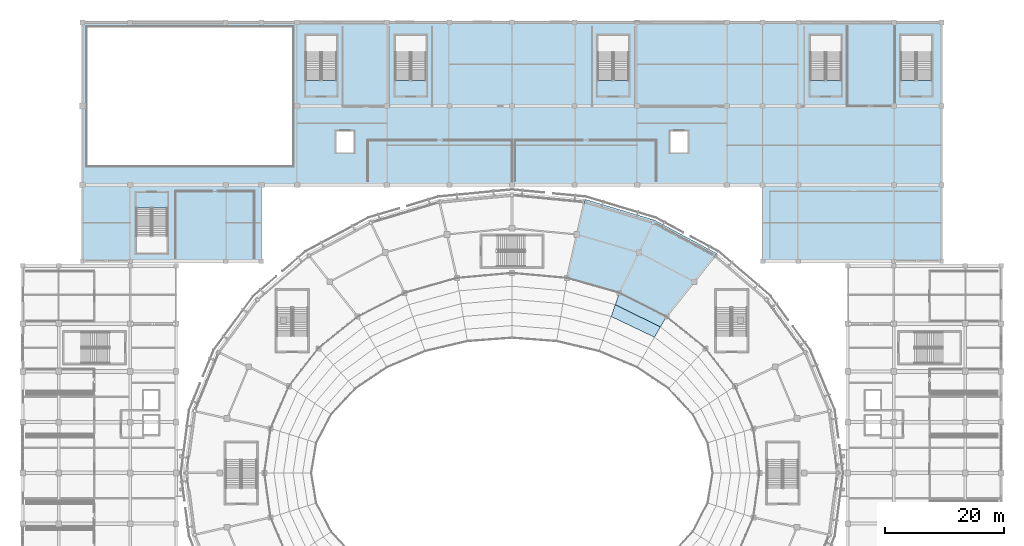
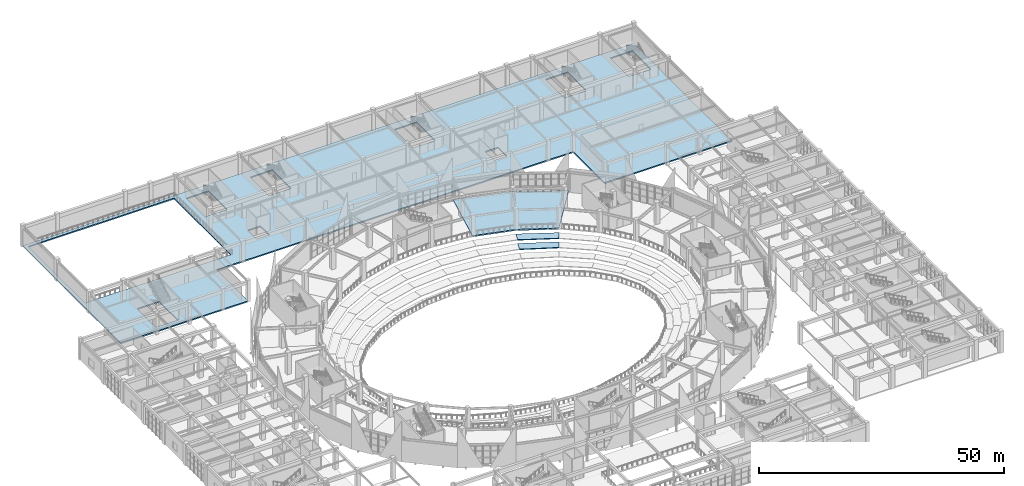
# One storey, part 66 of 120: 4 slabs.
"""IFC4 building model written with IfcOpenShell, lengths in metres."""

from ifc_helpers import new_model, si_unit, direction, frame, origin, place, context, subcontext, project, spatial, polyline, outline, extrude, material, layer, layer_set, type_object, element, save


model = new_model("IFC4")

# Units and contexts
model_context = context("Model", 3, precision=1e-05, world=origin(), true_north=direction((0.0, 1.0)))
body_context = subcontext(model_context, "Body", "Model", "MODEL_VIEW")
ifc_project = project(units=[si_unit("LENGTHUNIT", "METRE"), si_unit("AREAUNIT", "SQUARE_METRE"), si_unit("VOLUMEUNIT", "CUBIC_METRE"), si_unit("PLANEANGLEUNIT", "RADIAN"), si_unit("MASSUNIT", "GRAM", prefix="KILO")], contexts=[model_context])

# Site, building, storey
site_placement = place(None, origin())
site = spatial("IfcSite", under=ifc_project, at=site_placement, CompositionType="ELEMENT")
building_placement = place(site_placement, origin())
building = spatial("IfcBuilding", under=site, at=building_placement, Name="Cuetzalor Civic Arena", CompositionType="ELEMENT")
storey_placement = place(building_placement, frame((0.0, 0.0, 6.0)))
storey = spatial("IfcBuildingStorey", under=building, at=storey_placement, Name="L01", CompositionType="ELEMENT", Elevation=6.0)

# Slabs
ifc_material_1 = material(Name="Concrete C35/45", Category="concrete")
ifc_layer_1 = layer(ifc_material_1, 0.300048828125)
ifc_layer_set_1 = layer_set([ifc_layer_1], Name="Concrete C35/45")
slab_type_1 = type_object("IfcSlabType", Name="ConcourseFloorSlab_300", PredefinedType="FLOOR", material=ifc_layer_set_1)
slab_1_placement = place(storey_placement, frame((0.0, 0.0, -0.300048828125)))
element("IfcSlab", 1, at=slab_1_placement, inside=storey, type_object=slab_type_1, Name="Arena Concourse Sector Slab L01-03", PredefinedType="FLOOR", context=body_context, shape_type="SweptSolid", body=[
    extrude(outline(polyline([(25.874755859375, 26.19140625), (18.006103515625, 30.1826171875), (9.234619140625, 32.66015625), (12.249755859375, 45.870361328125), (23.88525390625, 42.390625), (34.322998046875, 36.78515625), (25.874755859375, 26.19140625)])), origin(), (0.0, 0.0, 1.0), 0.300048828125),
])
slab_2_placement = place(storey_placement, frame((0.0, 0.0, -0.300048828125)))
element("IfcSlab", 2, at=slab_2_placement, inside=storey, type_object=slab_type_1, Name="North Wing Floor Slab L01", PredefinedType="FLOOR", context=body_context, shape_type="SweptSolid", body=[
    extrude(outline(polyline([(-72.0, 75.5), (72.0, 75.5), (72.0, 35.5), (42.0, 35.5), (42.0, 48.300048828125), (-42.0, 48.300048828125), (-42.0, 35.5), (-72.0, 35.5), (-72.0, 75.5)]), holes=[polyline([(-36.800048828125, 51.5), (-36.800048828125, 74.699951171875), (-71.199951171875, 74.699951171875), (-71.199951171875, 51.5), (-36.800048828125, 51.5)]), polyline([(-63.0, 36.800048828125), (-57.800048828125, 36.800048828125), (-57.800048828125, 44.39990234375), (-63.0, 44.39990234375), (-63.0, 36.800048828125)]), polyline([(-34.60009765625, 73.39990234375), (-34.60009765625, 65.800048828125), (-29.39990234375, 65.800048828125), (-29.39990234375, 73.39990234375), (-34.60009765625, 73.39990234375)]), polyline([(-14.39990234375, 73.39990234375), (-19.60009765625, 73.39990234375), (-19.60009765625, 65.800048828125), (-14.39990234375, 65.800048828125), (-14.39990234375, 73.39990234375)]), polyline([(19.60009765625, 65.800048828125), (19.60009765625, 73.39990234375), (14.39990234375, 73.39990234375), (14.39990234375, 65.800048828125), (19.60009765625, 65.800048828125)]), polyline([(50.0, 65.800048828125), (55.199951171875, 65.800048828125), (55.199951171875, 73.39990234375), (50.0, 73.39990234375), (50.0, 65.800048828125)]), polyline([(65.199951171875, 73.39990234375), (65.199951171875, 65.800048828125), (70.39990234375, 65.800048828125), (70.39990234375, 73.39990234375), (65.199951171875, 73.39990234375)]), polyline([(-26.5, 57.300048828125), (-29.5, 57.300048828125), (-29.5, 53.699951171875), (-26.5, 53.699951171875), (-26.5, 57.300048828125)]), polyline([(29.5, 53.699951171875), (29.5, 57.300048828125), (26.5, 57.300048828125), (26.5, 53.699951171875), (29.5, 53.699951171875)])]), origin(), (0.0, 0.0, 1.0), 0.300048828125),
])
ifc_material_2 = material(Name="Precast concrete C45/55", Category="concrete")
ifc_layer_2 = layer(ifc_material_2, 0.179931640625)
ifc_layer_set_2 = layer_set([ifc_layer_2], Name="Precast concrete C45/55")
slab_type_2 = type_object("IfcSlabType", Name="LowerBowlSeatingTier_180", PredefinedType="USERDEFINED", material=ifc_layer_set_2)
slab_3_placement = place(storey_placement, frame((0.0, 0.0, -2.219970703125)))
element("IfcSlab", 3, at=slab_3_placement, inside=storey, type_object=slab_type_2, Name="Stand Lower Tier Bay 05 Row 4", ObjectType="SEATING TIER", PredefinedType="USERDEFINED", context=body_context, shape_type="SweptSolid", body=[
    extrude(outline(polyline([(23.879638671875, 22.751220703125), (16.61767578125, 26.21826171875), (17.31201171875, 28.2001953125), (24.877197265625, 24.47119140625), (23.879638671875, 22.751220703125)])), origin(), (0.0, 0.0, 1.0), 0.179931640625),
])
slab_4_placement = place(storey_placement, frame((0.0, 0.0, -1.300048828125)))
element("IfcSlab", 4, at=slab_4_placement, inside=storey, type_object=slab_type_2, Name="Stand Lower Tier Bay 05 Row 5", ObjectType="SEATING TIER", PredefinedType="USERDEFINED", context=body_context, shape_type="SweptSolid", body=[
    extrude(outline(polyline([(24.877197265625, 24.47119140625), (17.31201171875, 28.2001953125), (18.006103515625, 30.1826171875), (25.874755859375, 26.19140625), (24.877197265625, 24.47119140625)])), origin(), (0.0, 0.0, 1.0), 0.179931640625),
])

save(model, "model.ifc")
